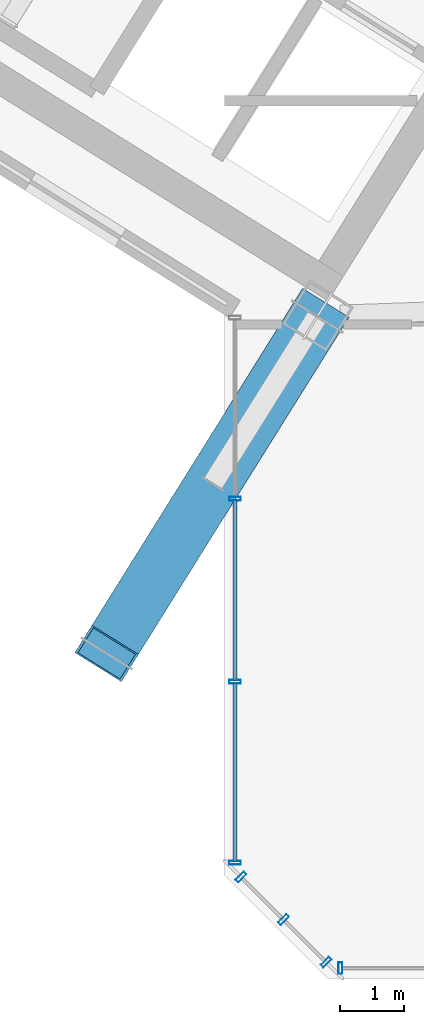
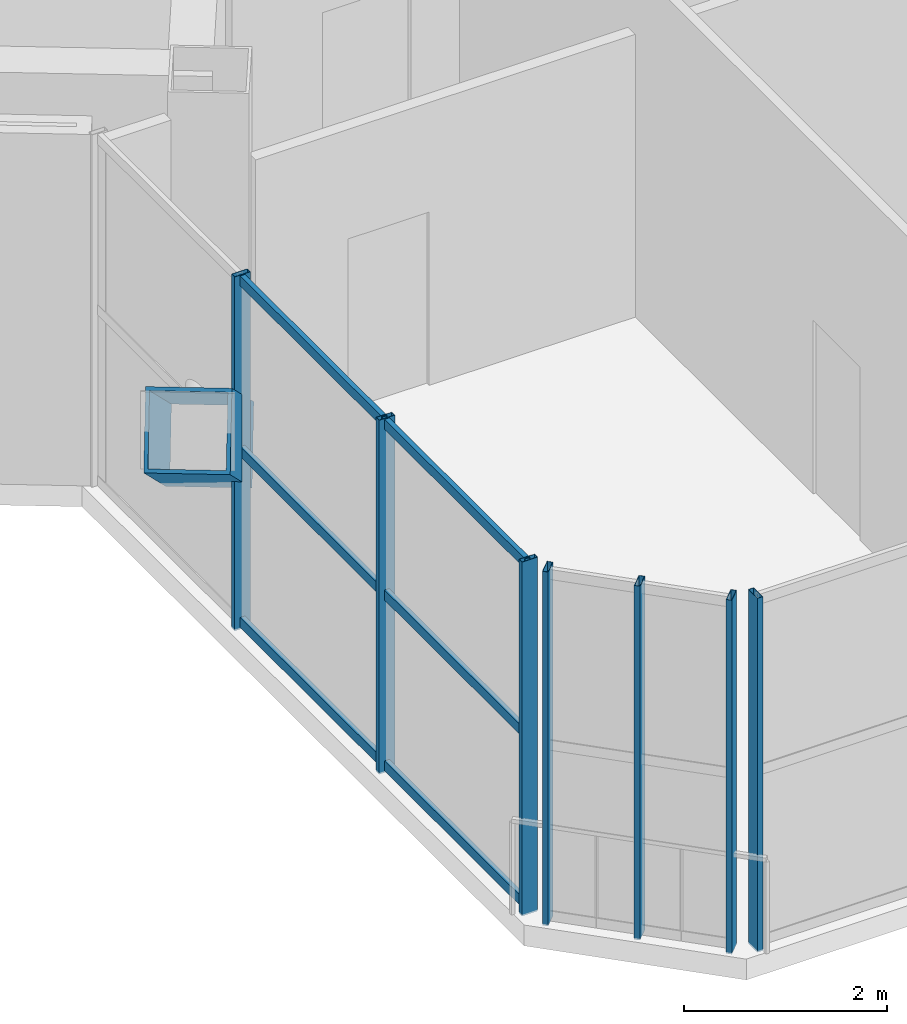
# One storey, part 5 of 34: 14 members, 3 elements without a shape of their own.
"""IFC4 building model written with IfcOpenShell, lengths in metres."""

from ifc_helpers import new_model, si_unit, direction, frame, origin, origin_2d, place, context, subcontext, project, spatial, hollow_rectangle, extrude, source, transform, mapped, material, material_profile, profile_set, type_object, element, aggregate, save


model = new_model("IFC4")

# Units and contexts
model_context = context("Model", 3, precision=1e-05, world=origin(), true_north=direction((0.0, 1.0)))
body_context = subcontext(model_context, "Body", "Model", "MODEL_VIEW")
ifc_project = project(units=[si_unit("LENGTHUNIT", "METRE"), si_unit("AREAUNIT", "SQUARE_METRE"), si_unit("VOLUMEUNIT", "CUBIC_METRE"), si_unit("PLANEANGLEUNIT", "RADIAN"), si_unit("MASSUNIT", "GRAM", prefix="KILO")], contexts=[model_context])

# Site, building, storey
site_placement = place(None, origin())
site = spatial("IfcSite", under=ifc_project, at=site_placement, CompositionType="ELEMENT")
building_placement = place(site_placement, origin())
building = spatial("IfcBuilding", under=site, at=building_placement, Name="Tlacorven Tower", CompositionType="ELEMENT")
storey_placement = place(building_placement, frame((0.0, 0.0, 229.199951171875)))
storey = spatial("IfcBuildingStorey", under=building, at=storey_placement, Name="L58", CompositionType="ELEMENT", Elevation=229.199951171875)

# Member
ifc_material_1 = material(Name="Steel S460M", Category="steel")
ifc_material_profile_1 = material_profile(ifc_material_1, hollow_rectangle(XDim=0.85009765625, YDim=0.85009765625, WallThickness=0.0400390625, at=origin_2d()), Name="BOX 850X850X40")
ifc_profile_set_1 = profile_set([ifc_material_profile_1], Name="Steel S460M")
member_type_1 = type_object("IfcMemberType", Name="MB-RAK-EXT", PredefinedType="STRUT", material=ifc_profile_set_1)
shared_shape_1 = source(origin(), body_context, "Body", "SweptSolid", [
    extrude(hollow_rectangle(XDim=0.85009765625, YDim=0.85009765625, WallThickness=0.0400390625, at=origin_2d()), origin(), (0.0, 0.0, 1.0), 7.62109375),
])
member_1_placement = place(storey_placement, frame((33.03759765625, 12.0732421875, 0.01171875), z_axis=(-0.428857238409, -0.686325351137, 0.587400188501), x_axis=(0.848051671646, -0.529913542211, 0.0)))
element("IfcMember", 1, at=member_1_placement, inside=storey, type_object=member_type_1, Name="L58 Block-Shift Raking Transfer Strut W1", PredefinedType="STRUT", context=body_context, shape_type="MappedRepresentation", body=[
    mapped(shared_shape_1, transform((0.0, 0.0, 0.0), scale=1.0)),
])

# Curtain wall, members
ifc_material_2 = material(Name="Dark solar low-E double glazing in aluminium frame", Category="aluminium")
curtain_wall_type = type_object("IfcCurtainWallType", Name="CW-TWR-HIGH", PredefinedType="USERDEFINED", material=ifc_material_2)
curtain_wall_1_placement = place(storey_placement, origin())
curtain_wall_1 = element("IfcCurtainWall", 2, at=curtain_wall_1_placement, inside=storey, type_object=curtain_wall_type, Name="L58 CW-TWR-HIGH Curtain Wall 265", ObjectType="UNITISED CURTAIN WALL", PredefinedType="USERDEFINED")
ifc_material_3 = material(Name="Aluminium 6063-T6 anodised", Category="aluminium")
ifc_material_profile_2 = material_profile(ifc_material_3, hollow_rectangle(XDim=0.054931640625, YDim=0.1201171875, WallThickness=0.00341796875, at=origin_2d()), Name="ALU TRANSOM 55X120")
ifc_profile_set_2 = profile_set([ifc_material_profile_2], Name="Aluminium 6063-T6 anodised")
member_type_2 = type_object("IfcMemberType", Name="CWT-03", PredefinedType="USERDEFINED", material=ifc_profile_set_2)
shared_shape_2 = source(origin(), body_context, "Body", "SweptSolid", [
    extrude(hollow_rectangle(XDim=0.054931640625, YDim=0.1201171875, WallThickness=0.00341796875, at=origin_2d()), origin(), (0.0, 0.0, 1.0), 2.77294921875),
])
member_2_placement = place(storey_placement, frame((31.760009765625, 3.6142578125, 0.06005859375), z_axis=(0.0, 1.0, 0.0), x_axis=(-1.0, 0.0, 0.0)))
member_2 = element("IfcMember", 3, at=member_2_placement, type_object=member_type_2, Name="CW-L58-265 Transom 1", ObjectType="TRANSOM", PredefinedType="USERDEFINED", context=body_context, shape_type="MappedRepresentation", body=[
    mapped(shared_shape_2, transform((0.0, 0.0, 0.0), scale=1.0)),
])
member_3_placement = place(storey_placement, frame((31.760009765625, 3.6142578125, 2.110107421875), z_axis=(0.0, 1.0, 0.0), x_axis=(-1.0, 0.0, 0.0)))
member_3 = element("IfcMember", 4, at=member_3_placement, type_object=member_type_2, Name="CW-L58-265 Transom 2", ObjectType="TRANSOM", PredefinedType="USERDEFINED", context=body_context, shape_type="MappedRepresentation", body=[
    mapped(shared_shape_2, transform((0.0, 0.0, 0.0), scale=1.0)),
])
member_4_placement = place(storey_placement, frame((31.760009765625, 3.6142578125, 4.16015625), z_axis=(0.0, 1.0, 0.0), x_axis=(-1.0, 0.0, 0.0)))
member_4 = element("IfcMember", 5, at=member_4_placement, type_object=member_type_2, Name="CW-L58-265 Transom 3", ObjectType="TRANSOM", PredefinedType="USERDEFINED", context=body_context, shape_type="MappedRepresentation", body=[
    mapped(shared_shape_2, transform((0.0, 0.0, 0.0), scale=1.0)),
])
shared_shape_3 = source(origin(), body_context, "Body", "SweptSolid", [
    extrude(hollow_rectangle(XDim=0.054931640625, YDim=0.1201171875, WallThickness=0.00341796875, at=origin_2d()), origin(), (0.0, 0.0, 1.0), 2.802978515625),
])
member_5_placement = place(storey_placement, frame((31.760009765625, 6.423095703125, 0.06005859375), z_axis=(0.0, 1.0, 0.0), x_axis=(-1.0, 0.0, 0.0)))
member_5 = element("IfcMember", 6, at=member_5_placement, type_object=member_type_2, Name="CW-L58-265 Transom 4", ObjectType="TRANSOM", PredefinedType="USERDEFINED", context=body_context, shape_type="MappedRepresentation", body=[
    mapped(shared_shape_3, transform((0.0, 0.0, 0.0), scale=1.0)),
])
member_6_placement = place(storey_placement, frame((31.760009765625, 6.423095703125, 2.110107421875), z_axis=(0.0, 1.0, 0.0), x_axis=(-1.0, 0.0, 0.0)))
member_6 = element("IfcMember", 7, at=member_6_placement, type_object=member_type_2, Name="CW-L58-265 Transom 5", ObjectType="TRANSOM", PredefinedType="USERDEFINED", context=body_context, shape_type="MappedRepresentation", body=[
    mapped(shared_shape_3, transform((0.0, 0.0, 0.0), scale=1.0)),
])
member_7_placement = place(storey_placement, frame((31.760009765625, 6.423095703125, 4.16015625), z_axis=(0.0, 1.0, 0.0), x_axis=(-1.0, 0.0, 0.0)))
member_7 = element("IfcMember", 8, at=member_7_placement, type_object=member_type_2, Name="CW-L58-265 Transom 6", ObjectType="TRANSOM", PredefinedType="USERDEFINED", context=body_context, shape_type="MappedRepresentation", body=[
    mapped(shared_shape_3, transform((0.0, 0.0, 0.0), scale=1.0)),
])

# Curtain wall, member
curtain_wall_2_placement = place(storey_placement, origin())
curtain_wall_2 = element("IfcCurtainWall", 9, at=curtain_wall_2_placement, inside=storey, type_object=curtain_wall_type, Name="L58 CW-TWR-HIGH Curtain Wall 263", ObjectType="UNITISED CURTAIN WALL", PredefinedType="USERDEFINED")
ifc_material_profile_3 = material_profile(ifc_material_3, hollow_rectangle(XDim=0.06005859375, YDim=0.179931640625, WallThickness=0.00390625, at=origin_2d()), Name="ALU MULLION 60X180")
ifc_profile_set_3 = profile_set([ifc_material_profile_3], Name="Aluminium 6063-T6 anodised")
member_type_3 = type_object("IfcMemberType", Name="CWM-03", PredefinedType="MULLION", material=ifc_profile_set_3)
shared_shape_4 = source(origin(), body_context, "Body", "SweptSolid", [
    extrude(hollow_rectangle(XDim=0.06005859375, YDim=0.179931640625, WallThickness=0.00390625, at=origin_2d()), origin(), (0.0, 0.0, 1.0), 4.25),
])
member_8_placement = place(storey_placement, frame((33.396240234375, 1.9599609375, -0.02001953125), z_axis=(0.0, 0.0, 1.0), x_axis=(-1.0, 0.0, 0.0)))
member_8 = element("IfcMember", 10, at=member_8_placement, type_object=member_type_3, Name="CW-L58-263 Mullion 4", PredefinedType="MULLION", context=body_context, shape_type="MappedRepresentation", body=[
    mapped(shared_shape_4, transform((0.0, 0.0, 0.0), scale=1.0)),
])
aggregate(curtain_wall_2, [member_8])

# Curtain wall, members
curtain_wall_3_placement = place(storey_placement, origin())
curtain_wall_3 = element("IfcCurtainWall", 11, at=curtain_wall_3_placement, inside=storey, type_object=curtain_wall_type, Name="L58 CW-TWR-HIGH Curtain Wall 264", ObjectType="UNITISED CURTAIN WALL", PredefinedType="USERDEFINED")
member_9_placement = place(storey_placement, frame((33.17431640625, 2.052001953125, -0.02001953125), z_axis=(0.0, 0.0, 1.0), x_axis=(-0.707106781187, 0.707106781187, 0.0)))
member_9 = element("IfcMember", 12, at=member_9_placement, type_object=member_type_3, Name="CW-L58-264 Mullion 1", PredefinedType="MULLION", context=body_context, shape_type="MappedRepresentation", body=[
    mapped(shared_shape_4, transform((0.0, 0.0, 0.0), scale=1.0)),
])
member_10_placement = place(storey_placement, frame((32.51318359375, 2.713134765625, -0.02001953125), z_axis=(0.0, 0.0, 1.0), x_axis=(-0.707106781187, 0.707106781187, 0.0)))
member_10 = element("IfcMember", 13, at=member_10_placement, type_object=member_type_3, Name="CW-L58-264 Mullion 2", PredefinedType="MULLION", context=body_context, shape_type="MappedRepresentation", body=[
    mapped(shared_shape_4, transform((0.0, 0.0, 0.0), scale=1.0)),
])
member_11_placement = place(storey_placement, frame((31.851806640625, 3.374267578125, -0.02001953125), z_axis=(0.0, 0.0, 1.0), x_axis=(-0.707106781187, 0.707106781187, 0.0)))
member_11 = element("IfcMember", 14, at=member_11_placement, type_object=member_type_3, Name="CW-L58-264 Mullion 3", PredefinedType="MULLION", context=body_context, shape_type="MappedRepresentation", body=[
    mapped(shared_shape_4, transform((0.0, 0.0, 0.0), scale=1.0)),
])
aggregate(curtain_wall_3, [member_9, member_10, member_11])

# Member
member_12_placement = place(storey_placement, frame((31.760009765625, 3.59619140625, -0.02001953125), z_axis=(0.0, 0.0, 1.0), x_axis=(0.0, 1.0, 0.0)))
member_12 = element("IfcMember", 15, at=member_12_placement, type_object=member_type_3, Name="CW-L58-265 Mullion 1", PredefinedType="MULLION", context=body_context, shape_type="MappedRepresentation", body=[
    mapped(shared_shape_4, transform((0.0, 0.0, 0.0), scale=1.0)),
])

member_13_placement = place(storey_placement, frame((31.760009765625, 6.4052734375, -0.02001953125), z_axis=(0.0, 0.0, 1.0), x_axis=(0.0, 1.0, 0.0)))
member_13 = element("IfcMember", 16, at=member_13_placement, type_object=member_type_3, Name="CW-L58-265 Mullion 2", PredefinedType="MULLION", context=body_context, shape_type="MappedRepresentation", body=[
    mapped(shared_shape_4, transform((0.0, 0.0, 0.0), scale=1.0)),
])

member_14_placement = place(storey_placement, frame((31.760009765625, 9.244140625, -0.02001953125), z_axis=(0.0, 0.0, 1.0), x_axis=(0.0, 1.0, 0.0)))
member_14 = element("IfcMember", 17, at=member_14_placement, type_object=member_type_3, Name="CW-L58-265 Mullion 3", PredefinedType="MULLION", context=body_context, shape_type="MappedRepresentation", body=[
    mapped(shared_shape_4, transform((0.0, 0.0, 0.0), scale=1.0)),
])

aggregate(curtain_wall_1, [member_12, member_13, member_14, member_2, member_3, member_4, member_5, member_6, member_7])

save(model, "model.ifc")
